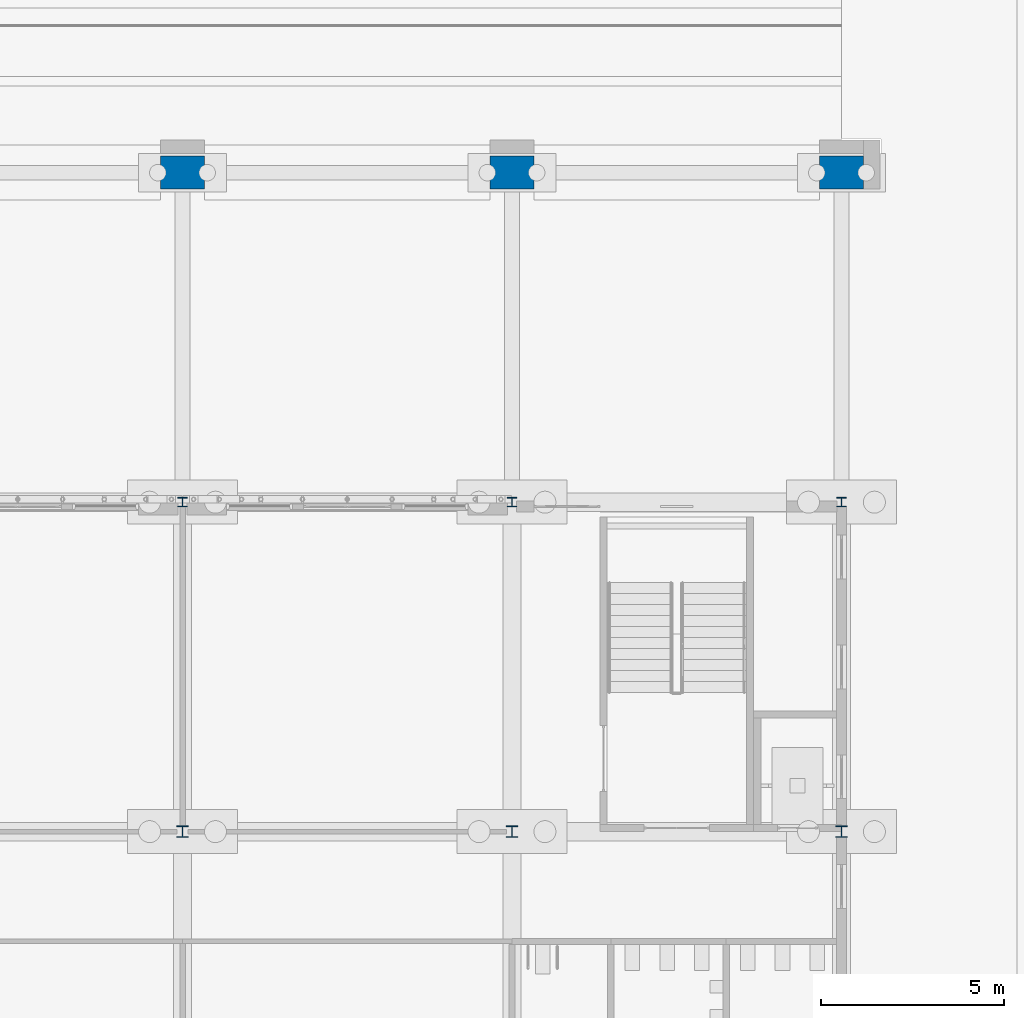
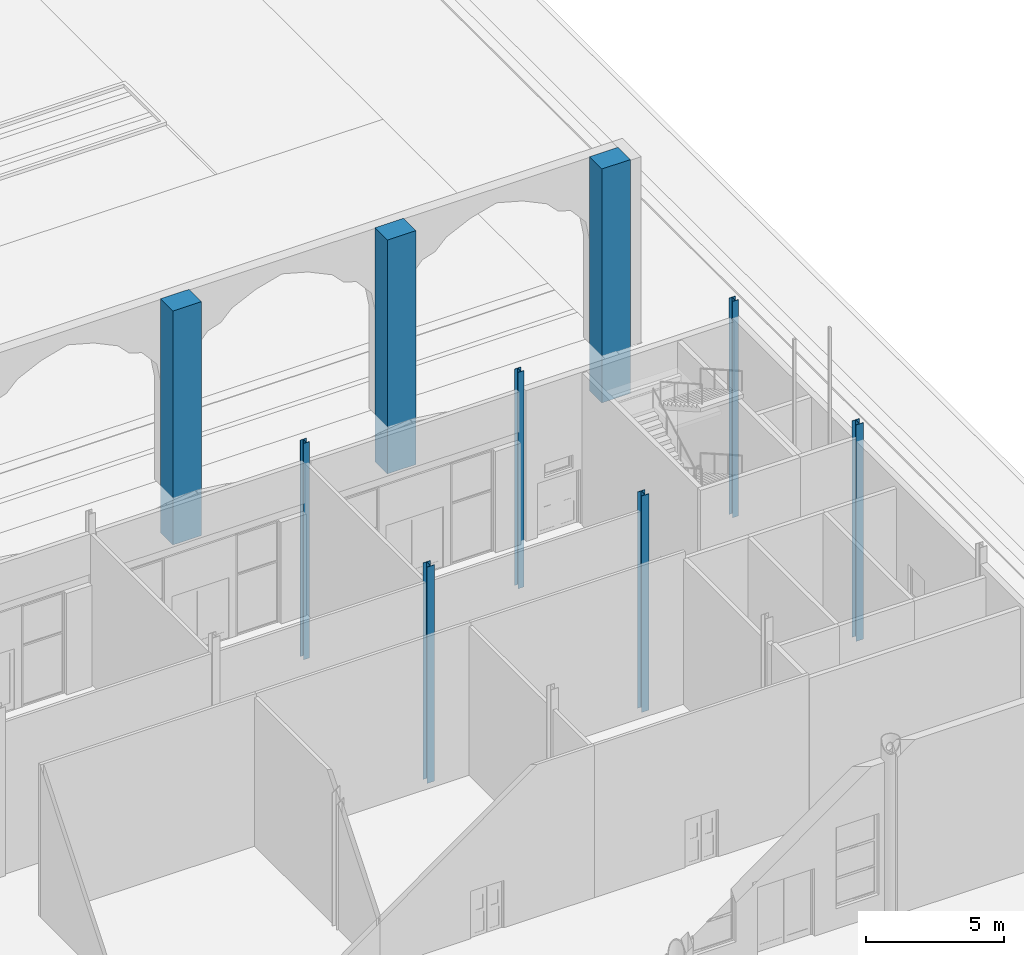
# One storey, part 33 of 250: 9 columns.
"""IFC4 building model written with IfcOpenShell, lengths in metres."""

import ifcopenshell
import ifcopenshell.guid

model = None  # the IFC model being written
_history = None  # IfcOwnerHistory: only IFC2X3 demands one
_inside = {}  # id of a spatial element -> (the spatial element, [elements in it])
_under = {}  # id of a project, library or spatial element -> (it, [spatial elements below it])
_declared = {}  # id of a project -> (the project, [libraries it declares])
_typed = {}  # id of a type object -> (the type object, [elements of that type])
_made_of = {}  # id of a material, layer set ... -> (it, [elements and type objects made of it])


def new_model(schema):
    """Start an empty IFC model of exactly this schema.

    Asked for "IFC4X3", IfcOpenShell would pick the latest addendum, in which some entities
    have other attributes; the version numbers below select the first issue.
    IFC2X3 requires an IfcOwnerHistory on every rooted entity: one is made here for all.
    """
    global model, _history
    if schema == "IFC4X3":
        model = ifcopenshell.file(schema_version=(4, 3, 0, 0))
    else:
        model = ifcopenshell.file(schema=schema)
    _inside.clear()
    _under.clear()
    _declared.clear()
    _typed.clear()
    _made_of.clear()
    _history = None
    if model.schema == "IFC2X3":
        org = make("IfcOrganization", Name="unknown")
        user = make(
            "IfcPersonAndOrganization",
            ThePerson=make("IfcPerson", FamilyName="unknown"),
            TheOrganization=org,
        )
        app = make(
            "IfcApplication",
            ApplicationDeveloper=org,
            Version="unknown",
            ApplicationFullName="unknown",
            ApplicationIdentifier="unknown",
        )
        _history = make(
            "IfcOwnerHistory",
            OwningUser=user,
            OwningApplication=app,
            ChangeAction="ADDED",
            CreationDate=0,
        )
    return model


def make(cls, **values):
    """One entity of the class cls with the attributes given. An attribute that is None is left unset."""
    return model.create_entity(
        cls, **{name: value for name, value in values.items() if value is not None}
    )


def rooted(cls, **values):
    """An entity with a GlobalId (a new one), such as an element, a storey or a relation."""
    return make(cls, GlobalId=ifcopenshell.guid.new(), OwnerHistory=_history, **values)


def si_unit(unit_type, name, prefix=None):
    """IfcSIUnit, for example si_unit("LENGTHUNIT", "METRE", prefix="MILLI")."""
    return make("IfcSIUnit", UnitType=unit_type, Prefix=prefix, Name=name)


def assignment(units):
    """IfcUnitAssignment: the units of a project."""
    return None if units is None else make("IfcUnitAssignment", Units=units)


def point(xyz):
    """IfcCartesianPoint."""
    return None if xyz is None else make("IfcCartesianPoint", Coordinates=xyz)


def direction(xyz):
    """IfcDirection."""
    return None if xyz is None else make("IfcDirection", DirectionRatios=xyz)


def frame(location, z_axis=None, x_axis=None):
    """IfcAxis2Placement3D, a coordinate frame: its origin and axes. An axis left out is left unset."""
    return make(
        "IfcAxis2Placement3D",
        Location=point(location),
        Axis=direction(z_axis),
        RefDirection=direction(x_axis),
    )


def frame_2d(location, x_axis=None):
    """IfcAxis2Placement2D, a coordinate frame in the plane: its origin and x axis."""
    return make(
        "IfcAxis2Placement2D", Location=point(location), RefDirection=direction(x_axis)
    )


def origin():
    """The frame at (0, 0, 0) with its axes left unset."""
    return frame((0.0, 0.0, 0.0))


def origin_2d():
    """The frame at (0, 0) in the plane with its x axis left unset."""
    return frame_2d((0.0, 0.0))


def place(relative_to, where):
    """IfcLocalPlacement: puts the frame where relative to a parent placement (None: the world)."""
    return make(
        "IfcLocalPlacement", PlacementRelTo=relative_to, RelativePlacement=where
    )


def context(
    kind, dimensions, precision=None, world=None, true_north=None, identifier=None
):
    """IfcGeometricRepresentationContext, for example the 3D "Model" context."""
    return make(
        "IfcGeometricRepresentationContext",
        ContextIdentifier=identifier,
        ContextType=kind,
        CoordinateSpaceDimension=dimensions,
        Precision=precision,
        WorldCoordinateSystem=world,
        TrueNorth=true_north,
    )


def subcontext(parent, identifier, kind, view, scale=None):
    """IfcGeometricRepresentationSubContext, for example "Body" below "Model"."""
    return make(
        "IfcGeometricRepresentationSubContext",
        ContextIdentifier=identifier,
        ContextType=kind,
        ParentContext=parent,
        TargetScale=scale,
        TargetView=view,
    )


def project(units=None, contexts=None):
    """IfcProject with its units and contexts."""
    return rooted(
        "IfcProject",
        Name="project",
        RepresentationContexts=contexts,
        UnitsInContext=assignment(units),
    )


def spatial(cls, under=None, at=None, **own):
    """A site, building, storey or space (cls), placed at a placement, below another one or the project."""
    s = rooted(cls, ObjectPlacement=at, **own)
    if under is not None:
        _under.setdefault(under.id(), (under, []))[1].append(s)
    return s


def profile(cls, at=None, kind="AREA", **sizes):
    """A parametric profile (cls). Its sizes go by their IFC names, for example OverallWidth=200.0."""
    return make(cls, ProfileType=kind, Position=at, **sizes)


def rectangle(**sizes):
    """IfcRectangleProfileDef."""
    return profile("IfcRectangleProfileDef", **sizes)


def i_section(**sizes):
    """IfcIShapeProfileDef."""
    return profile("IfcIShapeProfileDef", **sizes)


def extrude(swept, where, along, depth):
    """IfcExtrudedAreaSolid: the profile swept, set in the frame where, extruded along a direction by depth."""
    return make(
        "IfcExtrudedAreaSolid",
        SweptArea=swept,
        Position=where,
        ExtrudedDirection=direction(along),
        Depth=depth,
    )


def shape(context_of_items, identifier, shape_type, items):
    """IfcShapeRepresentation: the items that make up one representation, for example the "Body"."""
    return make(
        "IfcShapeRepresentation",
        ContextOfItems=context_of_items,
        RepresentationIdentifier=identifier,
        RepresentationType=shape_type,
        Items=items,
    )


def material(Name=None, Category=None):
    """IfcMaterial."""
    return make("IfcMaterial", Name=Name, Category=Category)


def material_profile(
    of_material, cross_section, Name=None, Category=None, Priority=None
):
    """IfcMaterialProfile: a cross section and its material."""
    return make(
        "IfcMaterialProfile",
        Name=Name,
        Material=of_material,
        Profile=cross_section,
        Priority=Priority,
        Category=Category,
    )


def profile_set(profiles, Name=None, composite=None):
    """IfcMaterialProfileSet."""
    return make(
        "IfcMaterialProfileSet",
        Name=Name,
        MaterialProfiles=profiles,
        CompositeProfile=composite,
    )


def made_of(thing, what):
    """Note that an element or type object is made of a material, layer set ...; save() writes the relation."""
    if what is not None:
        _made_of.setdefault(what.id(), (what, []))[1].append(thing)
    return thing


def type_object(cls, material=None, **own):
    """A type object (cls), such as IfcWallType, which elements share."""
    return made_of(rooted(cls, **own), material)


def element(
    cls,
    number,
    at=None,
    inside=None,
    cuts=None,
    type_object=None,
    material=None,
    context=None,
    identifier="Body",
    shape_type=None,
    held_by="IfcProductDefinitionShape",
    body=None,
    shapes=None,
    **own,
):
    """One element of the class cls, such as IfcWall. Its Tag is "e" and its number.

    at: its placement. inside: the storey or other place that contains it. cuts: it is an
    opening in that element (IfcRelVoidsElement). A single representation is given by context,
    identifier, shape_type and body (its items); several are given by shapes. held_by: the class
    of the entity that holds the representations. save() writes the other relations.
    """
    e = rooted(cls, Tag="e%d" % number, ObjectPlacement=at, **own)
    if body is not None:
        shapes = [shape(context, identifier, shape_type, body)]
    if shapes is not None:
        e.Representation = make(held_by, Representations=shapes)
    if inside is not None:
        _inside.setdefault(inside.id(), (inside, []))[1].append(e)
    if cuts is not None:
        rooted(
            "IfcRelVoidsElement", RelatingBuildingElement=cuts, RelatedOpeningElement=e
        )
    if type_object is not None:
        _typed.setdefault(type_object.id(), (type_object, []))[1].append(e)
    return made_of(e, material)


def aggregate(whole, parts):
    """IfcRelAggregates: a whole, such as a stair, and the parts it consists of."""
    return rooted("IfcRelAggregates", RelatingObject=whole, RelatedObjects=parts)


def save(model, path):
    """Write the relations noted so far, then the file.

    IfcRelAggregates (storeys below a building ...), IfcRelContainedInSpatialStructure (elements
    in a storey), IfcRelDefinesByType, IfcRelAssociatesMaterial and IfcRelDeclares: one each for
    every whole, place, type object, material and project.
    """
    for whole, parts in _under.values():
        aggregate(whole, parts)
    for where, things in _inside.values():
        rooted(
            "IfcRelContainedInSpatialStructure",
            RelatedElements=things,
            RelatingStructure=where,
        )
    for kind, things in _typed.values():
        rooted("IfcRelDefinesByType", RelatedObjects=things, RelatingType=kind)
    for what, things in _made_of.values():
        rooted("IfcRelAssociatesMaterial", RelatedObjects=things, RelatingMaterial=what)
    for by, libraries in _declared.values():
        rooted("IfcRelDeclares", RelatingContext=by, RelatedDefinitions=libraries)
    model.write(path)


model = new_model("IFC4")

# Units and contexts
model_context = context("Model", 3, precision=1e-05, world=origin(), true_north=direction((0.0, 1.0)))
body_context = subcontext(model_context, "Body", "Model", "MODEL_VIEW")
ifc_project = project(units=[si_unit("LENGTHUNIT", "METRE"), si_unit("AREAUNIT", "SQUARE_METRE"), si_unit("VOLUMEUNIT", "CUBIC_METRE"), si_unit("PLANEANGLEUNIT", "RADIAN"), si_unit("MASSUNIT", "GRAM", prefix="KILO")], contexts=[model_context])

# Site, building, storey
site_placement = place(None, origin())
site = spatial("IfcSite", under=ifc_project, at=site_placement, CompositionType="ELEMENT")
building_placement = place(site_placement, origin())
building = spatial("IfcBuilding", under=site, at=building_placement, Name="Baradari Gate Terminus", CompositionType="ELEMENT")
storey_placement = place(building_placement, origin())
storey = spatial("IfcBuildingStorey", under=building, at=storey_placement, Name="L00", CompositionType="ELEMENT", Elevation=0.0)

# Columns
ifc_material_1 = material(Name="Concrete C40/50", Category="concrete")
ifc_material_profile_1 = material_profile(ifc_material_1, rectangle(XDim=1.199951171875, YDim=0.89990234375, at=origin_2d()), Name="RC1200X900")
ifc_profile_set_1 = profile_set([ifc_material_profile_1], Name="Concrete C40/50")
column_type_1 = type_object("IfcColumnType", Name="Arcade pier AP01 RC1200X900", PredefinedType="COLUMN", material=ifc_profile_set_1)
for number, where, z_axis, x_axis, name in (
    (1, (225.0, 117.0, -2.10009765625), (0.0, 0.0, 1.0), (1.0, 0.0, 0.0), "AP01 column 26-P L00"),
    (2, (234.0, 117.0, -2.10009765625), (0.0, 0.0, 1.0), (1.0, 0.0, 0.0), "AP01 column 27-P L00"),
    (3, (243.0, 117.0, -2.10009765625), (0.0, 0.0, 1.0), (1.0, 0.0, 0.0), "AP01 column 28-P L00"),
):
    element("IfcColumn", number, at=place(storey_placement, frame(where, z_axis=z_axis, x_axis=x_axis)), inside=storey, type_object=column_type_1, Name=name, PredefinedType="COLUMN", context=body_context, shape_type="SweptSolid", body=[
        extrude(rectangle(XDim=1.199951171875, YDim=0.89990234375, at=origin_2d()), origin(), (0.0, 0.0, 1.0), 10.380126953125),
    ])
ifc_material_2 = material(Name="Steel S355", Category="steel")
ifc_material_profile_2 = material_profile(ifc_material_2, i_section(OverallWidth=0.307373046875, OverallDepth=0.314453125, WebThickness=0.011962890625, FlangeThickness=0.018798828125, FilletRadius=0.01513671875, at=origin_2d()), Name="UC 305x305x118")
ifc_profile_set_2 = profile_set([ifc_material_profile_2], Name="Steel S355")
column_type_2 = type_object("IfcColumnType", Name="Head-house column C07 UC 305x305x118", PredefinedType="COLUMN", material=ifc_profile_set_2)
for number, where, z_axis, x_axis, name in (
    (4, (225.0, 99.0, -2.10009765625), (0.0, 0.0, 1.0), (1.0, 0.0, 0.0), "C07 column 26-M L00"),
    (5, (234.0, 99.0, -2.10009765625), (0.0, 0.0, 1.0), (1.0, 0.0, 0.0), "C07 column 27-M L00"),
    (6, (243.0, 99.0, -2.10009765625), (0.0, 0.0, 1.0), (1.0, 0.0, 0.0), "C07 column 28-M L00"),
):
    element("IfcColumn", number, at=place(storey_placement, frame(where, z_axis=z_axis, x_axis=x_axis)), inside=storey, type_object=column_type_2, Name=name, PredefinedType="COLUMN", context=body_context, shape_type="SweptSolid", body=[
        extrude(i_section(OverallWidth=0.307373046875, OverallDepth=0.314453125, WebThickness=0.011962890625, FlangeThickness=0.018798828125, FilletRadius=0.01513671875, at=origin_2d()), origin(), (0.0, 0.0, 1.0), 9.60009765625),
    ])
ifc_material_3 = material(Name="Steel S355", Category="steel")
ifc_material_profile_3 = material_profile(ifc_material_3, i_section(OverallWidth=0.25634765625, OverallDepth=0.26025390625, WebThickness=0.01025390625, FlangeThickness=0.017333984375, FilletRadius=0.0126953125, at=origin_2d()), Name="UC 254x254x89")
ifc_profile_set_3 = profile_set([ifc_material_profile_3], Name="Steel S355")
column_type_3 = type_object("IfcColumnType", Name="Head-house facade column C08 UC 254x254x89", PredefinedType="COLUMN", material=ifc_profile_set_3)
for number, where, z_axis, x_axis, name in (
    (7, (225.0, 108.0, -2.10009765625), (0.0, 0.0, 1.0), (1.0, 0.0, 0.0), "C08 column 26-N L00"),
    (8, (234.0, 108.0, -2.10009765625), (0.0, 0.0, 1.0), (1.0, 0.0, 0.0), "C08 column 27-N L00"),
    (9, (243.0, 108.0, -2.10009765625), (0.0, 0.0, 1.0), (1.0, 0.0, 0.0), "C08 column 28-N L00"),
):
    element("IfcColumn", number, at=place(storey_placement, frame(where, z_axis=z_axis, x_axis=x_axis)), inside=storey, type_object=column_type_3, Name=name, PredefinedType="COLUMN", context=body_context, shape_type="SweptSolid", body=[
        extrude(i_section(OverallWidth=0.25634765625, OverallDepth=0.26025390625, WebThickness=0.01025390625, FlangeThickness=0.017333984375, FilletRadius=0.0126953125, at=origin_2d()), origin(), (0.0, 0.0, 1.0), 9.60009765625),
    ])

save(model, "model.ifc")
